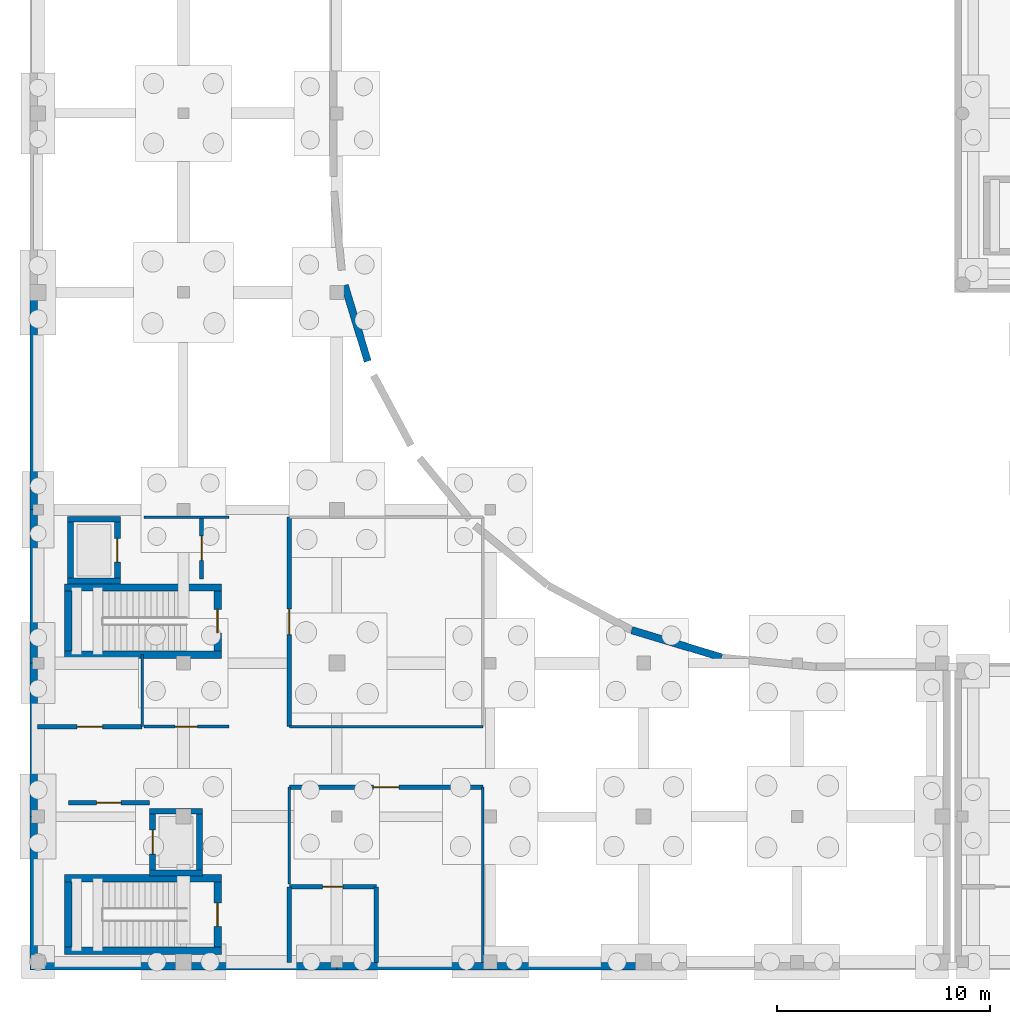
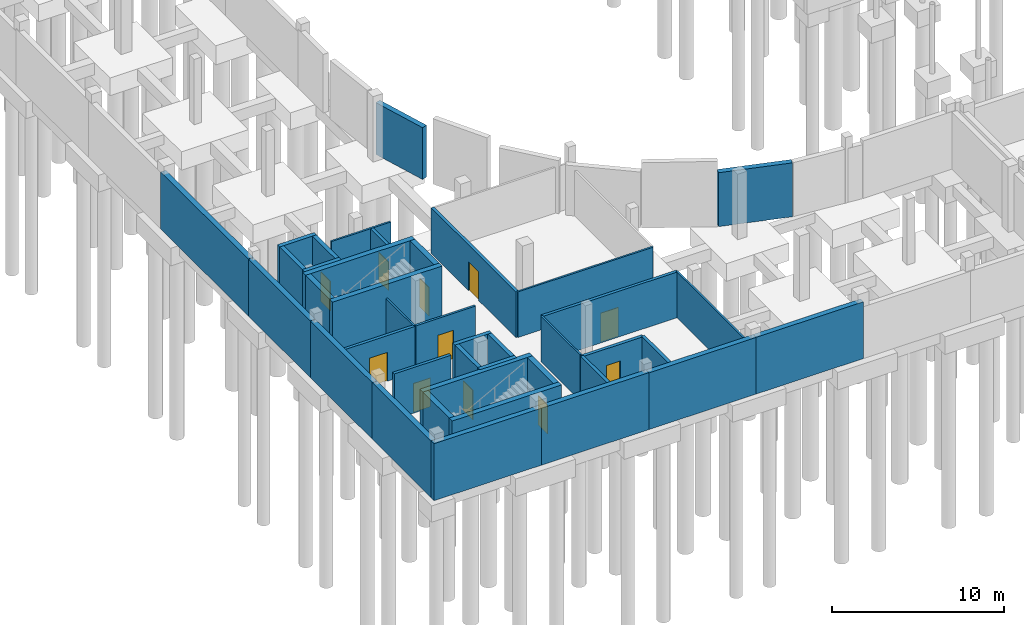
# One storey, part 24 of 41: 40 walls, 11 doors, 11 openings.
"""IFC4 building model written with IfcOpenShell, lengths in metres."""

from ifc_helpers import new_model, si_unit, direction, frame, frame_2d, origin, place, context, subcontext, project, spatial, rectangle, extrude, material, layer, layer_set, type_object, element, fill, save


model = new_model("IFC4")

# Units and contexts
model_context = context("Model", 3, precision=1e-05, world=origin(), true_north=direction((0.0, 1.0)))
body_context = subcontext(model_context, "Body", "Model", "MODEL_VIEW")
ifc_project = project(units=[si_unit("LENGTHUNIT", "METRE"), si_unit("AREAUNIT", "SQUARE_METRE"), si_unit("VOLUMEUNIT", "CUBIC_METRE"), si_unit("PLANEANGLEUNIT", "RADIAN"), si_unit("MASSUNIT", "GRAM", prefix="KILO")], contexts=[model_context])

# Site, building, storey
site_placement = place(None, origin())
site = spatial("IfcSite", under=ifc_project, at=site_placement, CompositionType="ELEMENT")
building_placement = place(site_placement, origin())
building = spatial("IfcBuilding", under=site, at=building_placement, Name="Vardoun Plaza Health Centre", CompositionType="ELEMENT")
storey_placement = place(building_placement, frame((0.0, 0.0, -4.5)))
storey = spatial("IfcBuildingStorey", under=building, at=storey_placement, Name="B1", CompositionType="ELEMENT", Elevation=-4.5)

# Wall
ifc_material_1 = material(Name="Concrete C40/50", Category="concrete")
ifc_layer_1 = layer(ifc_material_1, 0.27001953125)
ifc_layer_set_1 = layer_set([ifc_layer_1], Name="Concrete C40/50")
wall_type_1 = type_object("IfcWallType", Name="SW-03", PredefinedType="SHEAR", material=ifc_layer_set_1)
wall_1_placement = place(storey_placement, frame((12.5849609375, 9.050048828125, 0.0), z_axis=(0.0, 0.0, 1.0), x_axis=(-1.0, 0.0, 0.0)))
element("IfcWall", 1, at=wall_1_placement, inside=storey, type_object=wall_type_1, Name="Lift LF-01 B1 Shaft Wall S", PredefinedType="SHEAR", context=body_context, shape_type="SweptSolid", body=[
    extrude(rectangle(XDim=2.469970703125, YDim=0.27001953125, at=frame_2d((1.23486328125, 0.0))), origin(), (0.0, 0.0, 1.0), 4.219970703125),
])

# Wall, opening, door
wall_2_placement = place(storey_placement, frame((10.25, 9.18505859375, 0.0), z_axis=(0.0, 0.0, 1.0), x_axis=(0.0, 1.0, 0.0)))
wall_2 = element("IfcWall", 2, at=wall_2_placement, inside=storey, type_object=wall_type_1, Name="Lift LF-01 B1 Shaft Wall W", PredefinedType="SHEAR", context=body_context, shape_type="SweptSolid", body=[
    extrude(rectangle(XDim=2.6298828125, YDim=0.27001953125, at=frame_2d((1.31494140625, 0.0))), origin(), (0.0, 0.0, 1.0), 4.219970703125),
])
opening_1_placement = place(wall_2_placement, frame((0.7548828125, 0.0, 0.0)))
opening_1 = element("IfcOpeningElement", 3, at=opening_1_placement, cuts=wall_2, Name="Opening LD-LF-01-B1", PredefinedType="OPENING", context=body_context, shape_type="SweptSolid", body=[
    extrude(rectangle(XDim=1.1201171875, YDim=2.10009765625, at=frame_2d((0.56005859375, 1.050048828125))), frame((0.0, 0.135009765625, 0.0), z_axis=(0.0, -1.0, 0.0), x_axis=(1.0, 0.0, 0.0)), (0.0, 0.0, 1.0), 0.27001953125),
])
ifc_material_2 = material(Name="Brushed Stainless Steel Grade 316L", Category="steel")
door_type_1 = type_object("IfcDoorType", Name="LD-01", OperationType="DOUBLE_DOOR_SLIDING", PredefinedType="DOOR", material=ifc_material_2)
door_1_placement = place(opening_1_placement, origin())
door_1 = element("IfcDoor", 4, at=door_1_placement, inside=storey, type_object=door_type_1, Name="Lift LF-01 B1 Sliding Landing Door", OperationType="DOUBLE_DOOR_SLIDING", OverallHeight=2.10009765625, OverallWidth=1.1201171875, PredefinedType="DOOR", context=body_context, shape_type="SweptSolid", body=[
    extrude(rectangle(XDim=1.1201171875, YDim=2.10009765625, at=frame_2d((0.56005859375, 1.050048828125))), frame((0.0, 0.02490234375, 0.0), z_axis=(0.0, -1.0, 0.0), x_axis=(1.0, 0.0, 0.0)), (0.0, 0.0, 1.0), 0.050048828125),
])
fill(opening_1, door_1)

# Walls
wall_3_placement = place(storey_placement, frame((10.114990234375, 11.949951171875, 0.0), z_axis=(0.0, 0.0, 1.0), x_axis=(1.0, 0.0, 0.0)))
element("IfcWall", 5, at=wall_3_placement, inside=storey, type_object=wall_type_1, Name="Lift LF-01 B1 Shaft Wall N", PredefinedType="SHEAR", context=body_context, shape_type="SweptSolid", body=[
    extrude(rectangle(XDim=2.469970703125, YDim=0.27001953125, at=frame_2d((1.23486328125, 0.0))), origin(), (0.0, 0.0, 1.0), 4.219970703125),
])
wall_4_placement = place(storey_placement, frame((12.449951171875, 11.81494140625, 0.0), z_axis=(0.0, 0.0, 1.0), x_axis=(0.0, -1.0, 0.0)))
element("IfcWall", 6, at=wall_4_placement, inside=storey, type_object=wall_type_1, Name="Lift LF-01 B1 Shaft Wall E", PredefinedType="SHEAR", context=body_context, shape_type="SweptSolid", body=[
    extrude(rectangle(XDim=2.6298828125, YDim=0.27001953125, at=frame_2d((1.31494140625, 0.0))), origin(), (0.0, 0.0, 1.0), 4.219970703125),
])
wall_5_placement = place(storey_placement, frame((8.735107421875, 22.75, 0.0), z_axis=(0.0, 0.0, 1.0), x_axis=(-1.0, 0.0, 0.0)))
element("IfcWall", 7, at=wall_5_placement, inside=storey, type_object=wall_type_1, Name="Lift LF-02 B1 Shaft Wall S", PredefinedType="SHEAR", context=body_context, shape_type="SweptSolid", body=[
    extrude(rectangle(XDim=2.47021484375, YDim=0.27001953125, at=frame_2d((1.235107421875, 0.0))), origin(), (0.0, 0.0, 1.0), 4.219970703125),
])
wall_6_placement = place(storey_placement, frame((6.39990234375, 22.885009765625, 0.0), z_axis=(0.0, 0.0, 1.0), x_axis=(0.0, 1.0, 0.0)))
element("IfcWall", 8, at=wall_6_placement, inside=storey, type_object=wall_type_1, Name="Lift LF-02 B1 Shaft Wall W", PredefinedType="SHEAR", context=body_context, shape_type="SweptSolid", body=[
    extrude(rectangle(XDim=2.6298828125, YDim=0.27001953125, at=frame_2d((1.31494140625, 0.0))), origin(), (0.0, 0.0, 1.0), 4.219970703125),
])
wall_7_placement = place(storey_placement, frame((6.264892578125, 25.64990234375, 0.0), z_axis=(0.0, 0.0, 1.0), x_axis=(1.0, 0.0, 0.0)))
element("IfcWall", 9, at=wall_7_placement, inside=storey, type_object=wall_type_1, Name="Lift LF-02 B1 Shaft Wall N", PredefinedType="SHEAR", context=body_context, shape_type="SweptSolid", body=[
    extrude(rectangle(XDim=2.47021484375, YDim=0.27001953125, at=frame_2d((1.235107421875, 0.0))), origin(), (0.0, 0.0, 1.0), 4.219970703125),
])

# Wall, opening, door
wall_8_placement = place(storey_placement, frame((8.60009765625, 25.514892578125, 0.0), z_axis=(0.0, 0.0, 1.0), x_axis=(0.0, -1.0, 0.0)))
wall_8 = element("IfcWall", 10, at=wall_8_placement, inside=storey, type_object=wall_type_1, Name="Lift LF-02 B1 Shaft Wall E", PredefinedType="SHEAR", context=body_context, shape_type="SweptSolid", body=[
    extrude(rectangle(XDim=2.6298828125, YDim=0.27001953125, at=frame_2d((1.31494140625, 0.0))), origin(), (0.0, 0.0, 1.0), 4.219970703125),
])
opening_2_placement = place(wall_8_placement, frame((0.7548828125, 0.0, 0.0)))
opening_2 = element("IfcOpeningElement", 11, at=opening_2_placement, cuts=wall_8, Name="Opening LD-LF-02-B1", PredefinedType="OPENING", context=body_context, shape_type="SweptSolid", body=[
    extrude(rectangle(XDim=1.1201171875, YDim=2.10009765625, at=frame_2d((0.56005859375, 1.050048828125))), frame((0.0, 0.135009765625, 0.0), z_axis=(0.0, -1.0, 0.0), x_axis=(1.0, 0.0, 0.0)), (0.0, 0.0, 1.0), 0.27001953125),
])
door_2_placement = place(opening_2_placement, origin())
door_2 = element("IfcDoor", 12, at=door_2_placement, inside=storey, type_object=door_type_1, Name="Lift LF-02 B1 Sliding Landing Door", OperationType="DOUBLE_DOOR_SLIDING", OverallHeight=2.10009765625, OverallWidth=1.1201171875, PredefinedType="DOOR", context=body_context, shape_type="SweptSolid", body=[
    extrude(rectangle(XDim=1.1201171875, YDim=2.10009765625, at=frame_2d((0.56005859375, 1.050048828125))), frame((0.0, 0.02490234375, 0.0), z_axis=(0.0, -1.0, 0.0), x_axis=(1.0, 0.0, 0.0)), (0.0, 0.0, 1.0), 0.050048828125),
])
fill(opening_2, door_2)

# Walls
ifc_material_3 = material(Name="Concrete C40/50", Category="concrete")
ifc_layer_2 = layer(ifc_material_3, 0.35009765625)
ifc_layer_set_2 = layer_set([ifc_layer_2], Name="Concrete C40/50")
wall_type_2 = type_object("IfcWallType", Name="SW-02", PredefinedType="SHEAR", material=ifc_layer_set_2)
wall_9_placement = place(storey_placement, frame((13.47509765625, 5.39990234375, 0.0), z_axis=(0.0, 0.0, 1.0), x_axis=(-1.0, 0.0, 0.0)))
element("IfcWall", 13, at=wall_9_placement, inside=storey, type_object=wall_type_2, Name="Core C1 B1 Shear Wall S", PredefinedType="SHEAR", context=body_context, shape_type="SweptSolid", body=[
    extrude(rectangle(XDim=7.35009765625, YDim=0.35009765625, at=frame_2d((3.675048828125, 0.0))), origin(), (0.0, 0.0, 1.0), 4.219970703125),
])
wall_10_placement = place(storey_placement, frame((6.300048828125, 5.574951171875, 0.0), z_axis=(0.0, 0.0, 1.0), x_axis=(0.0, 1.0, 0.0)))
element("IfcWall", 14, at=wall_10_placement, inside=storey, type_object=wall_type_2, Name="Core C1 B1 Shear Wall W", PredefinedType="SHEAR", context=body_context, shape_type="SweptSolid", body=[
    extrude(rectangle(XDim=3.050048828125, YDim=0.35009765625, at=frame_2d((1.52490234375, 0.0))), origin(), (0.0, 0.0, 1.0), 4.219970703125),
])
wall_11_placement = place(storey_placement, frame((6.125, 8.800048828125, 0.0), z_axis=(0.0, 0.0, 1.0), x_axis=(1.0, 0.0, 0.0)))
element("IfcWall", 15, at=wall_11_placement, inside=storey, type_object=wall_type_2, Name="Core C1 B1 Shear Wall N", PredefinedType="SHEAR", context=body_context, shape_type="SweptSolid", body=[
    extrude(rectangle(XDim=7.35009765625, YDim=0.35009765625, at=frame_2d((3.675048828125, 0.0))), origin(), (0.0, 0.0, 1.0), 4.219970703125),
])

# Wall, opening, door
wall_12_placement = place(storey_placement, frame((13.300048828125, 8.625, 0.0), z_axis=(0.0, 0.0, 1.0), x_axis=(0.0, -1.0, 0.0)))
wall_12 = element("IfcWall", 16, at=wall_12_placement, inside=storey, type_object=wall_type_2, Name="Core C1 B1 Shear Wall E", PredefinedType="SHEAR", context=body_context, shape_type="SweptSolid", body=[
    extrude(rectangle(XDim=3.050048828125, YDim=0.35009765625, at=frame_2d((1.52490234375, 0.0))), origin(), (0.0, 0.0, 1.0), 4.219970703125),
])
opening_3_placement = place(wall_12_placement, frame((0.97509765625, 0.0, 0.0)))
opening_3 = element("IfcOpeningElement", 17, at=opening_3_placement, cuts=wall_12, Name="Opening SD-C1-B1", PredefinedType="OPENING", context=body_context, shape_type="SweptSolid", body=[
    extrude(rectangle(XDim=1.10009765625, YDim=2.050048828125, at=frame_2d((0.550048828125, 1.02490234375))), frame((0.0, 0.175048828125, 0.0), z_axis=(0.0, -1.0, 0.0), x_axis=(1.0, 0.0, 0.0)), (0.0, 0.0, 1.0), 0.35009765625),
])
ifc_material_4 = material(Name="Brushed Stainless Steel Grade 316L", Category="steel")
door_type_2 = type_object("IfcDoorType", Name="FD-01", OperationType="NOTDEFINED", PredefinedType="DOOR", material=ifc_material_4)
door_3_placement = place(opening_3_placement, origin())
door_3 = element("IfcDoor", 18, at=door_3_placement, inside=storey, type_object=door_type_2, Name="Stair C1 B1 Fire Door", OperationType="SINGLE_SWING_LEFT", OverallHeight=2.050048828125, OverallWidth=1.10009765625, PredefinedType="DOOR", context=body_context, shape_type="SweptSolid", body=[
    extrude(rectangle(XDim=1.10009765625, YDim=2.050048828125, at=frame_2d((0.550048828125, 1.02490234375))), frame((0.0, 0.02490234375, 0.0), z_axis=(0.0, -1.0, 0.0), x_axis=(1.0, 0.0, 0.0)), (0.0, 0.0, 1.0), 0.050048828125),
])
fill(opening_3, door_3)

# Walls
wall_13_placement = place(storey_placement, frame((13.47509765625, 19.300048828125, 0.0), z_axis=(0.0, 0.0, 1.0), x_axis=(-1.0, 0.0, 0.0)))
element("IfcWall", 19, at=wall_13_placement, inside=storey, type_object=wall_type_2, Name="Core C2 B1 Shear Wall S", PredefinedType="SHEAR", context=body_context, shape_type="SweptSolid", body=[
    extrude(rectangle(XDim=7.35009765625, YDim=0.35009765625, at=frame_2d((3.675048828125, 0.0))), origin(), (0.0, 0.0, 1.0), 4.219970703125),
])
wall_14_placement = place(storey_placement, frame((6.300048828125, 19.47509765625, 0.0), z_axis=(0.0, 0.0, 1.0), x_axis=(0.0, 1.0, 0.0)))
element("IfcWall", 20, at=wall_14_placement, inside=storey, type_object=wall_type_2, Name="Core C2 B1 Shear Wall W", PredefinedType="SHEAR", context=body_context, shape_type="SweptSolid", body=[
    extrude(rectangle(XDim=2.7998046875, YDim=0.35009765625, at=frame_2d((1.39990234375, 0.0))), origin(), (0.0, 0.0, 1.0), 4.219970703125),
])
wall_15_placement = place(storey_placement, frame((6.125, 22.449951171875, 0.0), z_axis=(0.0, 0.0, 1.0), x_axis=(1.0, 0.0, 0.0)))
element("IfcWall", 21, at=wall_15_placement, inside=storey, type_object=wall_type_2, Name="Core C2 B1 Shear Wall N", PredefinedType="SHEAR", context=body_context, shape_type="SweptSolid", body=[
    extrude(rectangle(XDim=7.35009765625, YDim=0.35009765625, at=frame_2d((3.675048828125, 0.0))), origin(), (0.0, 0.0, 1.0), 4.219970703125),
])

# Wall, opening, door
wall_16_placement = place(storey_placement, frame((13.300048828125, 22.27490234375, 0.0), z_axis=(0.0, 0.0, 1.0), x_axis=(0.0, -1.0, 0.0)))
wall_16 = element("IfcWall", 22, at=wall_16_placement, inside=storey, type_object=wall_type_2, Name="Core C2 B1 Shear Wall E", PredefinedType="SHEAR", context=body_context, shape_type="SweptSolid", body=[
    extrude(rectangle(XDim=2.7998046875, YDim=0.35009765625, at=frame_2d((1.39990234375, 0.0))), origin(), (0.0, 0.0, 1.0), 4.219970703125),
])
opening_4_placement = place(wall_16_placement, frame((0.85009765625, 0.0, 0.0)))
opening_4 = element("IfcOpeningElement", 23, at=opening_4_placement, cuts=wall_16, Name="Opening SD-C2-B1", PredefinedType="OPENING", context=body_context, shape_type="SweptSolid", body=[
    extrude(rectangle(XDim=1.10009765625, YDim=2.050048828125, at=frame_2d((0.550048828125, 1.02490234375))), frame((0.0, 0.175048828125, 0.0), z_axis=(0.0, -1.0, 0.0), x_axis=(1.0, 0.0, 0.0)), (0.0, 0.0, 1.0), 0.35009765625),
])
door_4_placement = place(opening_4_placement, origin())
door_4 = element("IfcDoor", 24, at=door_4_placement, inside=storey, type_object=door_type_2, Name="Stair C2 B1 Fire Door", OperationType="SINGLE_SWING_LEFT", OverallHeight=2.050048828125, OverallWidth=1.10009765625, PredefinedType="DOOR", context=body_context, shape_type="SweptSolid", body=[
    extrude(rectangle(XDim=1.10009765625, YDim=2.050048828125, at=frame_2d((0.550048828125, 1.02490234375))), frame((0.0, 0.02490234375, 0.0), z_axis=(0.0, -1.0, 0.0), x_axis=(1.0, 0.0, 0.0)), (0.0, 0.0, 1.0), 0.050048828125),
])
fill(opening_4, door_4)

# Walls
ifc_material_5 = material(Name="Pale Limestone Concrete C35/45", Category="masonry")
ifc_layer_3 = layer(ifc_material_5, 0.344970703125)
ifc_layer_set_3 = layer_set([ifc_layer_3], Name="Pale Limestone Concrete C35/45")
wall_type_3 = type_object("IfcWallType", Name="EW-01", PredefinedType="SOLIDWALL", material=ifc_layer_set_3)
wall_17_placement = place(storey_placement, frame((19.267333984375, 36.63037109375, -0.419921875), z_axis=(0.0, 0.0, 1.0), x_axis=(0.290265968568, -0.956946010751, 0.0)))
element("IfcWall", 25, at=wall_17_placement, inside=storey, type_object=wall_type_3, Name="V2 B1 Exterior Wall EW-V2-047", PredefinedType="SOLIDWALL", context=body_context, shape_type="SweptSolid", body=[
    extrude(rectangle(XDim=3.720947265625, YDim=0.344970703125, at=frame_2d((1.8603515625, 0.0))), origin(), (0.0, 0.0, 1.0), 3.6748046875),
])
wall_18_placement = place(storey_placement, frame((32.739501953125, 20.447509765625, -0.419921875), z_axis=(0.0, 0.0, 1.0), x_axis=(0.956948958061, -0.290256251725, 0.0)))
element("IfcWall", 26, at=wall_18_placement, inside=storey, type_object=wall_type_3, Name="V2 B1 Exterior Wall EW-V2-052", PredefinedType="SOLIDWALL", context=body_context, shape_type="SweptSolid", body=[
    extrude(rectangle(XDim=4.410888671875, YDim=0.344970703125, at=frame_2d((2.20556640625, 0.0))), origin(), (0.0, 0.0, 1.0), 3.824951171875),
])
wall_19_placement = place(storey_placement, frame((33.300048828125, 4.672607421875, -0.419921875), z_axis=(0.0, 0.0, 1.0), x_axis=(-1.0, 0.0, 0.0)))
element("IfcWall", 27, at=wall_19_placement, inside=storey, type_object=wall_type_3, Name="V2 B1 Exterior Wall EW-V2-059", PredefinedType="SOLIDWALL", context=body_context, shape_type="SweptSolid", body=[
    extrude(rectangle(XDim=7.199951171875, YDim=0.344970703125, at=frame_2d((3.60009765625, 0.0))), origin(), (0.0, 0.0, 1.0), 4.02490234375),
])
wall_20_placement = place(storey_placement, frame((26.10009765625, 4.672607421875, -0.419921875), z_axis=(0.0, 0.0, 1.0), x_axis=(-1.0, 0.0, 0.0)))
element("IfcWall", 28, at=wall_20_placement, inside=storey, type_object=wall_type_3, Name="V2 B1 Exterior Wall EW-V2-060", PredefinedType="SOLIDWALL", context=body_context, shape_type="SweptSolid", body=[
    extrude(rectangle(XDim=7.2001953125, YDim=0.344970703125, at=frame_2d((3.60009765625, 0.0))), origin(), (0.0, 0.0, 1.0), 4.02490234375),
])
for number, where, z_axis, x_axis, name in (
    (29, (18.89990234375, 4.672607421875, -0.419921875), (0.0, 0.0, 1.0), (-1.0, 0.0, 0.0), "V2 B1 Exterior Wall EW-V2-061"),
    (30, (11.699951171875, 4.672607421875, -0.419921875), (0.0, 0.0, 1.0), (-1.0, 0.0, 0.0), "V2 B1 Exterior Wall EW-V2-062"),
):
    element("IfcWall", number, at=place(storey_placement, frame(where, z_axis=z_axis, x_axis=x_axis)), inside=storey, type_object=wall_type_3, Name=name, PredefinedType="SOLIDWALL", context=body_context, shape_type="SweptSolid", body=[
        extrude(rectangle(XDim=7.199951171875, YDim=0.344970703125, at=frame_2d((3.60009765625, 0.0))), origin(), (0.0, 0.0, 1.0), 4.044921875),
    ])
wall_21_placement = place(storey_placement, frame((4.672607421875, 4.844970703125, -0.419921875), z_axis=(0.0, 0.0, 1.0), x_axis=(0.0, 1.0, 0.0)))
element("IfcWall", 31, at=wall_21_placement, inside=storey, type_object=wall_type_3, Name="V2 B1 Exterior Wall EW-V2-063", PredefinedType="SOLIDWALL", context=body_context, shape_type="SweptSolid", body=[
    extrude(rectangle(XDim=6.85498046875, YDim=0.344970703125, at=frame_2d((3.427490234375, 0.0))), origin(), (0.0, 0.0, 1.0), 4.0048828125),
])
wall_22_placement = place(storey_placement, frame((4.672607421875, 11.699951171875, -0.419921875), z_axis=(0.0, 0.0, 1.0), x_axis=(0.0, 1.0, 0.0)))
element("IfcWall", 32, at=wall_22_placement, inside=storey, type_object=wall_type_3, Name="V2 B1 Exterior Wall EW-V2-064", PredefinedType="SOLIDWALL", context=body_context, shape_type="SweptSolid", body=[
    extrude(rectangle(XDim=7.199951171875, YDim=0.344970703125, at=frame_2d((3.60009765625, 0.0))), origin(), (0.0, 0.0, 1.0), 4.0048828125),
])
wall_23_placement = place(storey_placement, frame((4.672607421875, 18.89990234375, -0.419921875), z_axis=(0.0, 0.0, 1.0), x_axis=(0.0, 1.0, 0.0)))
element("IfcWall", 33, at=wall_23_placement, inside=storey, type_object=wall_type_3, Name="V2 B1 Exterior Wall EW-V2-065", PredefinedType="SOLIDWALL", context=body_context, shape_type="SweptSolid", body=[
    extrude(rectangle(XDim=7.2001953125, YDim=0.344970703125, at=frame_2d((3.60009765625, 0.0))), origin(), (0.0, 0.0, 1.0), 4.02490234375),
])
wall_24_placement = place(storey_placement, frame((4.672607421875, 26.10009765625, -0.419921875), z_axis=(0.0, 0.0, 1.0), x_axis=(0.0, 1.0, 0.0)))
element("IfcWall", 34, at=wall_24_placement, inside=storey, type_object=wall_type_3, Name="V2 B1 Exterior Wall EW-V2-066", PredefinedType="SOLIDWALL", context=body_context, shape_type="SweptSolid", body=[
    extrude(rectangle(XDim=10.199951171875, YDim=0.344970703125, at=frame_2d((5.10009765625, 0.0))), origin(), (0.0, 0.0, 1.0), 4.044921875),
])

# Wall, opening, door
ifc_material_6 = material(Name="Acoustic Gypsum Twin-Stud", Category="steel")
ifc_layer_4 = layer(ifc_material_6, 0.14990234375)
ifc_layer_set_4 = layer_set([ifc_layer_4], Name="Acoustic Gypsum Twin-Stud")
wall_type_4 = type_object("IfcWallType", Name="IW-04", PredefinedType="PARTITIONING", material=ifc_layer_set_4)
wall_25_placement = place(storey_placement, frame((13.830078125, 15.919921875, 0.0), z_axis=(0.0, 0.0, 1.0), x_axis=(-1.0, 0.0, 0.0)))
wall_25 = element("IfcWall", 35, at=wall_25_placement, inside=storey, type_object=wall_type_4, Name="Staff Changing Room Partition Wall", PredefinedType="PARTITIONING", context=body_context, shape_type="SweptSolid", body=[
    extrude(rectangle(XDim=3.989990234375, YDim=0.14990234375, at=frame_2d((1.9951171875, 0.0))), origin(), (0.0, 0.0, 1.0), 3.239990234375),
])
opening_5_placement = place(wall_25_placement, frame((1.47509765625, 0.0, 0.0)))
opening_5 = element("IfcOpeningElement", 36, at=opening_5_placement, cuts=wall_25, Name="Opening D-B1-022", PredefinedType="OPENING", context=body_context, shape_type="SweptSolid", body=[
    extrude(rectangle(XDim=1.0400390625, YDim=2.050048828125, at=frame_2d((0.52001953125, 1.02490234375))), frame((0.0, 0.074951171875, 0.0), z_axis=(0.0, -1.0, 0.0), x_axis=(1.0, 0.0, 0.0)), (0.0, 0.0, 1.0), 0.14990234375),
])
ifc_material_7 = material(Name="Antimicrobial Acoustic Timber and Steel S275JR", Category="steel")
door_type_3 = type_object("IfcDoorType", Name="CD-04", OperationType="NOTDEFINED", PredefinedType="DOOR", material=ifc_material_7)
door_5_placement = place(opening_5_placement, origin())
door_5 = element("IfcDoor", 37, at=door_5_placement, inside=storey, type_object=door_type_3, Name="Staff Changing Room Door D-B1-022", OperationType="SINGLE_SWING_RIGHT", OverallHeight=2.050048828125, OverallWidth=1.0400390625, PredefinedType="DOOR", context=body_context, shape_type="SweptSolid", body=[
    extrude(rectangle(XDim=1.0400390625, YDim=2.050048828125, at=frame_2d((0.52001953125, 1.02490234375))), frame((0.0, 0.02490234375, 0.0), z_axis=(0.0, -1.0, 0.0), x_axis=(1.0, 0.0, 0.0)), (0.0, 0.0, 1.0), 0.050048828125),
])
fill(opening_5, door_5)

# Walls
ifc_material_8 = material(Name="Standard Clinical Sub-Partition", Category="steel")
ifc_layer_5 = layer(ifc_material_8, 0.125)
ifc_layer_set_5 = layer_set([ifc_layer_5], Name="Standard Clinical Sub-Partition")
wall_type_5 = type_object("IfcWallType", Name="IW-11", PredefinedType="PARTITIONING", material=ifc_layer_set_5)
wall_26_placement = place(storey_placement, frame((25.75, 15.919921875, 0.0), z_axis=(0.0, 0.0, 1.0), x_axis=(-1.0, 0.0, 0.0)))
element("IfcWall", 38, at=wall_26_placement, inside=storey, type_object=wall_type_5, Name="Pharmacy Bulk Cold Storage Enclosure Partition", PredefinedType="PARTITIONING", context=body_context, shape_type="SweptSolid", body=[
    extrude(rectangle(XDim=9.080078125, YDim=0.125, at=frame_2d((4.5400390625, 0.0))), origin(), (0.0, 0.0, 1.0), 3.239990234375),
])
wall_27_placement = place(storey_placement, frame((16.669921875, 8.541015625, 0.0), z_axis=(0.0, 0.0, 1.0), x_axis=(0.0, 1.0, 0.0)))
element("IfcWall", 39, at=wall_27_placement, inside=storey, type_object=wall_type_5, Name="Clinical Linen and Supply Store Enclosure Partition", PredefinedType="PARTITIONING", context=body_context, shape_type="SweptSolid", body=[
    extrude(rectangle(XDim=4.5390625, YDim=0.125, at=frame_2d((2.26953125, 0.0))), origin(), (0.0, 0.0, 1.0), 3.239990234375),
])
wall_28_placement = place(storey_placement, frame((25.75, 13.080078125, 0.0), z_axis=(0.0, 0.0, 1.0), x_axis=(0.0, -1.0, 0.0)))
element("IfcWall", 40, at=wall_28_placement, inside=storey, type_object=wall_type_5, Name="Clinical Linen and Supply Store Enclosure Partition", PredefinedType="PARTITIONING", context=body_context, shape_type="SweptSolid", body=[
    extrude(rectangle(XDim=8.22998046875, YDim=0.125, at=frame_2d((4.114990234375, 0.0))), origin(), (0.0, 0.0, 1.0), 3.239990234375),
])
wall_29_placement = place(storey_placement, frame((9.760009765625, 19.300048828125, 0.0), z_axis=(0.0, 0.0, 1.0), x_axis=(0.0, -1.0, 0.0)))
element("IfcWall", 41, at=wall_29_placement, inside=storey, type_object=wall_type_5, Name="Primary Electrical Substation Plant Enclosure Partition", PredefinedType="PARTITIONING", context=body_context, shape_type="SweptSolid", body=[
    extrude(rectangle(XDim=3.380126953125, YDim=0.125, at=frame_2d((1.68994140625, 0.0))), origin(), (0.0, 0.0, 1.0), 3.239990234375),
])
wall_30_placement = place(storey_placement, frame((9.840087890625, 25.75, 0.0), z_axis=(0.0, 0.0, 1.0), x_axis=(1.0, 0.0, 0.0)))
element("IfcWall", 42, at=wall_30_placement, inside=storey, type_object=wall_type_5, Name="Staff Changing Room Enclosure Partition", PredefinedType="PARTITIONING", context=body_context, shape_type="SweptSolid", body=[
    extrude(rectangle(XDim=3.989990234375, YDim=0.125, at=frame_2d((1.9951171875, 0.0))), origin(), (0.0, 0.0, 1.0), 3.239990234375),
])

# Wall, opening, door
ifc_material_9 = material(Name="Concrete C35/45", Category="concrete")
ifc_layer_6 = layer(ifc_material_9, 0.199951171875)
ifc_layer_set_6 = layer_set([ifc_layer_6], Name="Concrete C35/45")
wall_type_6 = type_object("IfcWallType", Name="IW-01", PredefinedType="SOLIDWALL", material=ifc_layer_set_6)
wall_31_placement = place(storey_placement, frame((6.300048828125, 12.35009765625, 0.0), z_axis=(0.0, 0.0, 1.0), x_axis=(1.0, 0.0, 0.0)))
wall_31 = element("IfcWall", 43, at=wall_31_placement, inside=storey, type_object=wall_type_6, Name="Firefighting Lobby C1 B1 Wall", PredefinedType="SOLIDWALL", context=body_context, shape_type="SweptSolid", body=[
    extrude(rectangle(XDim=3.800048828125, YDim=0.199951171875, at=frame_2d((1.89990234375, 0.0))), origin(), (0.0, 0.0, 1.0), 3.239990234375),
])
opening_6_placement = place(wall_31_placement, frame((1.324951171875, 0.0, 0.0)))
opening_6 = element("IfcOpeningElement", 44, at=opening_6_placement, cuts=wall_31, Name="Opening FD-FF-C1-B1", PredefinedType="OPENING", context=body_context, shape_type="SweptSolid", body=[
    extrude(rectangle(XDim=1.14990234375, YDim=2.050048828125, at=frame_2d((0.574951171875, 1.02490234375))), frame((0.0, 0.10009765625, 0.0), z_axis=(0.0, -1.0, 0.0), x_axis=(1.0, 0.0, 0.0)), (0.0, 0.0, 1.0), 0.199951171875),
])
ifc_material_10 = material(Name="Antimicrobial Acoustic Timber and Steel S275JR", Category="steel")
door_type_4 = type_object("IfcDoorType", Name="FD-02", OperationType="NOTDEFINED", PredefinedType="DOOR", material=ifc_material_10)
door_6_placement = place(opening_6_placement, origin())
door_6 = element("IfcDoor", 45, at=door_6_placement, inside=storey, type_object=door_type_4, Name="Firefighting Lobby C1 B1 Fire Door", OperationType="SINGLE_SWING_RIGHT", OverallHeight=2.050048828125, OverallWidth=1.14990234375, PredefinedType="DOOR", context=body_context, shape_type="SweptSolid", body=[
    extrude(rectangle(XDim=1.14990234375, YDim=2.050048828125, at=frame_2d((0.574951171875, 1.02490234375))), frame((0.0, 0.02490234375, 0.0), z_axis=(0.0, -1.0, 0.0), x_axis=(1.0, 0.0, 0.0)), (0.0, 0.0, 1.0), 0.050048828125),
])
fill(opening_6, door_6)

wall_32_placement = place(storey_placement, frame((12.550048828125, 25.75, 0.0), z_axis=(0.0, 0.0, 1.0), x_axis=(0.0, -1.0, 0.0)))
wall_32 = element("IfcWall", 46, at=wall_32_placement, inside=storey, type_object=wall_type_6, Name="Firefighting Lobby C2 B1 Wall", PredefinedType="SOLIDWALL", context=body_context, shape_type="SweptSolid", body=[
    extrude(rectangle(XDim=2.89990234375, YDim=0.199951171875, at=frame_2d((1.449951171875, 0.0))), origin(), (0.0, 0.0, 1.0), 3.239990234375),
])
opening_7_placement = place(wall_32_placement, frame((0.875, 0.0, 0.0)))
opening_7 = element("IfcOpeningElement", 47, at=opening_7_placement, cuts=wall_32, Name="Opening FD-FF-C2-B1", PredefinedType="OPENING", context=body_context, shape_type="SweptSolid", body=[
    extrude(rectangle(XDim=1.14990234375, YDim=2.050048828125, at=frame_2d((0.574951171875, 1.02490234375))), frame((0.0, 0.10009765625, 0.0), z_axis=(0.0, -1.0, 0.0), x_axis=(1.0, 0.0, 0.0)), (0.0, 0.0, 1.0), 0.199951171875),
])
door_7_placement = place(opening_7_placement, origin())
door_7 = element("IfcDoor", 48, at=door_7_placement, inside=storey, type_object=door_type_4, Name="Firefighting Lobby C2 B1 Fire Door", OperationType="SINGLE_SWING_RIGHT", OverallHeight=2.050048828125, OverallWidth=1.14990234375, PredefinedType="DOOR", context=body_context, shape_type="SweptSolid", body=[
    extrude(rectangle(XDim=1.14990234375, YDim=2.050048828125, at=frame_2d((0.574951171875, 1.02490234375))), frame((0.0, 0.02490234375, 0.0), z_axis=(0.0, -1.0, 0.0), x_axis=(1.0, 0.0, 0.0)), (0.0, 0.0, 1.0), 0.050048828125),
])
fill(opening_7, door_7)

wall_33_placement = place(storey_placement, frame((16.669921875, 15.919921875, 0.0), z_axis=(0.0, 0.0, 1.0), x_axis=(0.0, 1.0, 0.0)))
wall_33 = element("IfcWall", 49, at=wall_33_placement, inside=storey, type_object=wall_type_6, Name="Pharmacy Bulk Cold Storage Partition Wall", PredefinedType="SOLIDWALL", context=body_context, shape_type="SweptSolid", body=[
    extrude(rectangle(XDim=9.830078125, YDim=0.199951171875, at=frame_2d((4.9150390625, 0.0))), origin(), (0.0, 0.0, 1.0), 3.239990234375),
])
opening_8_placement = place(wall_33_placement, frame((4.31494140625, 0.0, 0.0)))
opening_8 = element("IfcOpeningElement", 50, at=opening_8_placement, cuts=wall_33, Name="Opening D-B1-019", PredefinedType="OPENING", context=body_context, shape_type="SweptSolid", body=[
    extrude(rectangle(XDim=1.199951171875, YDim=2.050048828125, at=frame_2d((0.60009765625, 1.02490234375))), frame((0.0, 0.10009765625, 0.0), z_axis=(0.0, -1.0, 0.0), x_axis=(1.0, 0.0, 0.0)), (0.0, 0.0, 1.0), 0.199951171875),
])
ifc_material_11 = material(Name="Antimicrobial Acoustic Timber and Steel S275JR", Category="steel")
door_type_5 = type_object("IfcDoorType", Name="FD-04", OperationType="NOTDEFINED", PredefinedType="DOOR", material=ifc_material_11)
door_8_placement = place(opening_8_placement, origin())
door_8 = element("IfcDoor", 51, at=door_8_placement, inside=storey, type_object=door_type_5, Name="Pharmacy Bulk Cold Storage Door D-B1-019", OperationType="SINGLE_SWING_LEFT", OverallHeight=2.050048828125, OverallWidth=1.199951171875, PredefinedType="DOOR", context=body_context, shape_type="SweptSolid", body=[
    extrude(rectangle(XDim=1.199951171875, YDim=2.050048828125, at=frame_2d((0.60009765625, 1.02490234375))), frame((0.0, 0.02490234375, 0.0), z_axis=(0.0, -1.0, 0.0), x_axis=(1.0, 0.0, 0.0)), (0.0, 0.0, 1.0), 0.050048828125),
])
fill(opening_8, door_8)

wall_34_placement = place(storey_placement, frame((16.669921875, 13.080078125, 0.0), z_axis=(0.0, 0.0, 1.0), x_axis=(1.0, 0.0, 0.0)))
wall_34 = element("IfcWall", 52, at=wall_34_placement, inside=storey, type_object=wall_type_6, Name="Clinical Linen and Supply Store Partition Wall", PredefinedType="SOLIDWALL", context=body_context, shape_type="SweptSolid", body=[
    extrude(rectangle(XDim=9.080078125, YDim=0.199951171875, at=frame_2d((4.5400390625, 0.0))), origin(), (0.0, 0.0, 1.0), 3.239990234375),
])
opening_9_placement = place(wall_34_placement, frame((3.93994140625, 0.0, 0.0)))
opening_9 = element("IfcOpeningElement", 53, at=opening_9_placement, cuts=wall_34, Name="Opening D-B1-020", PredefinedType="OPENING", context=body_context, shape_type="SweptSolid", body=[
    extrude(rectangle(XDim=1.199951171875, YDim=2.050048828125, at=frame_2d((0.60009765625, 1.02490234375))), frame((0.0, 0.10009765625, 0.0), z_axis=(0.0, -1.0, 0.0), x_axis=(1.0, 0.0, 0.0)), (0.0, 0.0, 1.0), 0.199951171875),
])
door_9_placement = place(opening_9_placement, origin())
door_9 = element("IfcDoor", 54, at=door_9_placement, inside=storey, type_object=door_type_5, Name="Clinical Linen and Supply Store Door D-B1-020", OperationType="SINGLE_SWING_RIGHT", OverallHeight=2.050048828125, OverallWidth=1.199951171875, PredefinedType="DOOR", context=body_context, shape_type="SweptSolid", body=[
    extrude(rectangle(XDim=1.199951171875, YDim=2.050048828125, at=frame_2d((0.60009765625, 1.02490234375))), frame((0.0, 0.02490234375, 0.0), z_axis=(0.0, -1.0, 0.0), x_axis=(1.0, 0.0, 0.0)), (0.0, 0.0, 1.0), 0.050048828125),
])
fill(opening_9, door_9)

wall_35_placement = place(storey_placement, frame((9.760009765625, 15.919921875, 0.0), z_axis=(0.0, 0.0, 1.0), x_axis=(-1.0, 0.0, 0.0)))
wall_35 = element("IfcWall", 55, at=wall_35_placement, inside=storey, type_object=wall_type_6, Name="Primary Electrical Substation Plant Partition Wall", PredefinedType="SOLIDWALL", context=body_context, shape_type="SweptSolid", body=[
    extrude(rectangle(XDim=4.909912109375, YDim=0.199951171875, at=frame_2d((2.455078125, 0.0))), origin(), (0.0, 0.0, 1.0), 3.239990234375),
])
opening_10_placement = place(wall_35_placement, frame((1.85498046875, 0.0, 0.0)))
opening_10 = element("IfcOpeningElement", 56, at=opening_10_placement, cuts=wall_35, Name="Opening D-B1-021", PredefinedType="OPENING", context=body_context, shape_type="SweptSolid", body=[
    extrude(rectangle(XDim=1.199951171875, YDim=2.050048828125, at=frame_2d((0.60009765625, 1.02490234375))), frame((0.0, 0.10009765625, 0.0), z_axis=(0.0, -1.0, 0.0), x_axis=(1.0, 0.0, 0.0)), (0.0, 0.0, 1.0), 0.199951171875),
])
door_10_placement = place(opening_10_placement, origin())
door_10 = element("IfcDoor", 57, at=door_10_placement, inside=storey, type_object=door_type_5, Name="Primary Electrical Substation Plant Door D-B1-021", OperationType="SINGLE_SWING_LEFT", OverallHeight=2.050048828125, OverallWidth=1.199951171875, PredefinedType="DOOR", context=body_context, shape_type="SweptSolid", body=[
    extrude(rectangle(XDim=1.199951171875, YDim=2.050048828125, at=frame_2d((0.60009765625, 1.02490234375))), frame((0.0, 0.02490234375, 0.0), z_axis=(0.0, -1.0, 0.0), x_axis=(1.0, 0.0, 0.0)), (0.0, 0.0, 1.0), 0.050048828125),
])
fill(opening_10, door_10)

ifc_material_12 = material(Name="Moisture-Resistant Plumbing Chase", Category="steel")
ifc_layer_7 = layer(ifc_material_12, 0.215087890625)
ifc_layer_set_7 = layer_set([ifc_layer_7], Name="Moisture-Resistant Plumbing Chase")
wall_type_7 = type_object("IfcWallType", Name="IW-06", PredefinedType="PLUMBINGWALL", material=ifc_layer_set_7)
wall_36_placement = place(storey_placement, frame((16.669921875, 8.40087890625, 0.0), z_axis=(0.0, 0.0, 1.0), x_axis=(1.0, 0.0, 0.0)))
wall_36 = element("IfcWall", 58, at=wall_36_placement, inside=storey, type_object=wall_type_7, Name="Accessible WC B1-V2 Partition Wall", PredefinedType="PLUMBINGWALL", context=body_context, shape_type="SweptSolid", body=[
    extrude(rectangle(XDim=4.08349609375, YDim=0.215087890625, at=frame_2d((2.041748046875, 0.0))), origin(), (0.0, 0.0, 1.0), 3.239990234375),
])
opening_11_placement = place(wall_36_placement, frame((1.566650390625, 0.0, 0.0)))
opening_11 = element("IfcOpeningElement", 59, at=opening_11_placement, cuts=wall_36, Name="Opening D-B1-018", PredefinedType="OPENING", context=body_context, shape_type="SweptSolid", body=[
    extrude(rectangle(XDim=0.949951171875, YDim=2.050048828125, at=frame_2d((0.47509765625, 1.02490234375))), frame((0.0, 0.107421875, 0.0), z_axis=(0.0, -1.0, 0.0), x_axis=(1.0, 0.0, 0.0)), (0.0, 0.0, 1.0), 0.215087890625),
])
ifc_material_13 = material(Name="Antimicrobial Acoustic Timber and Steel S275JR", Category="steel")
door_type_6 = type_object("IfcDoorType", Name="CD-07", OperationType="NOTDEFINED", PredefinedType="DOOR", material=ifc_material_13)
door_11_placement = place(opening_11_placement, origin())
door_11 = element("IfcDoor", 60, at=door_11_placement, inside=storey, type_object=door_type_6, Name="Accessible WC B1-V2 Door D-B1-018", OperationType="SINGLE_SWING_RIGHT", OverallHeight=2.050048828125, OverallWidth=0.949951171875, PredefinedType="DOOR", context=body_context, shape_type="SweptSolid", body=[
    extrude(rectangle(XDim=0.949951171875, YDim=2.050048828125, at=frame_2d((0.47509765625, 1.02490234375))), frame((0.0, 0.02490234375, 0.0), z_axis=(0.0, -1.0, 0.0), x_axis=(1.0, 0.0, 0.0)), (0.0, 0.0, 1.0), 0.050048828125),
])
fill(opening_11, door_11)

# Walls
for number, where, z_axis, x_axis, name in (
    (61, (16.669921875, 4.85009765625, 0.0), (0.0, 0.0, 1.0), (0.0, 1.0, 0.0), "Accessible WC B1-V2 Enclosure Partition"),
    (62, (20.75341796875, 8.40087890625, 0.0), (0.0, 0.0, 1.0), (0.0, -1.0, 0.0), "Accessible WC B1-V2 Enclosure Partition"),
):
    element("IfcWall", number, at=place(storey_placement, frame(where, z_axis=z_axis, x_axis=x_axis)), inside=storey, type_object=wall_type_7, Name=name, PredefinedType="PLUMBINGWALL", context=body_context, shape_type="SweptSolid", body=[
        extrude(rectangle(XDim=3.55078125, YDim=0.215087890625, at=frame_2d((1.775390625, 0.0))), origin(), (0.0, 0.0, 1.0), 3.239990234375),
    ])

save(model, "model.ifc")
